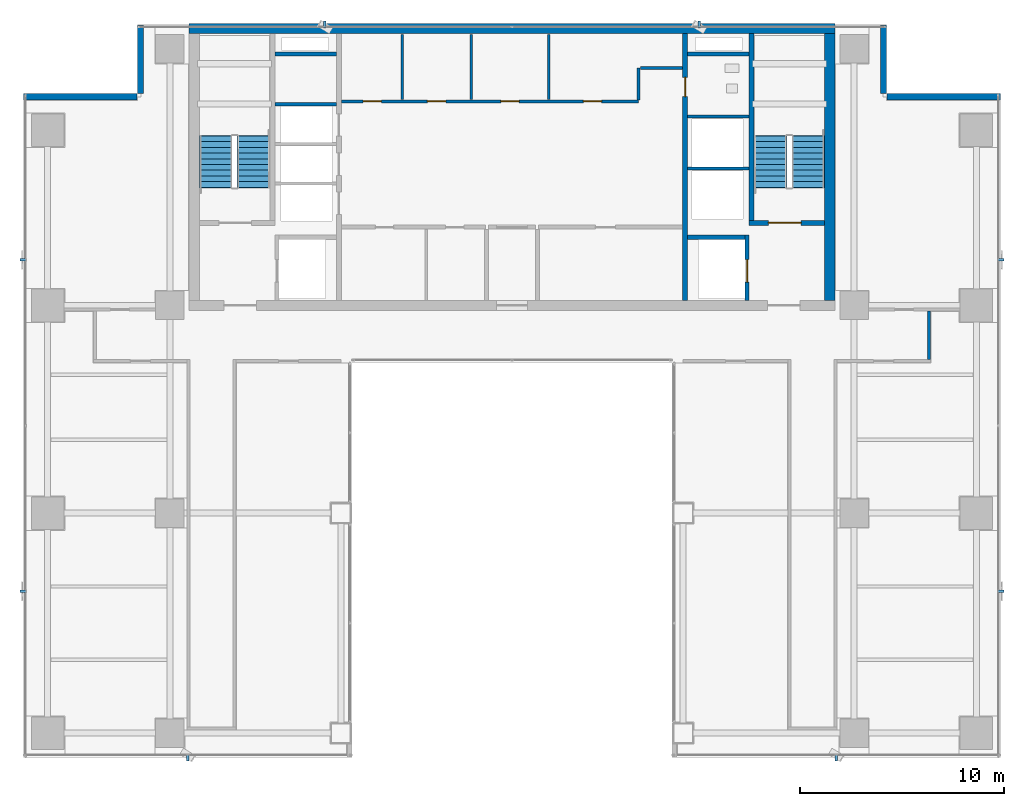
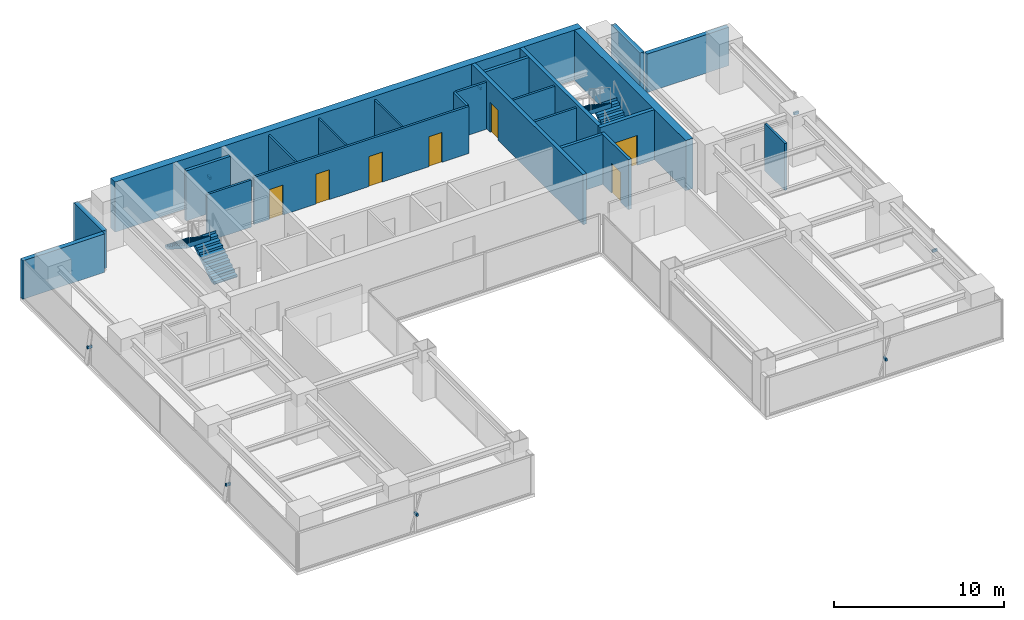
# One storey, part 25 of 29: 23 walls, 8 discrete accessories, 7 doors, 4 stair flights, 7 openings, 2 elements without a shape of their own.
"""IFC4 building model written with IfcOpenShell, lengths in metres."""

from ifc_helpers import new_model, si_unit, direction, frame, frame_2d, origin, origin_2d, place, context, subcontext, project, spatial, polyline, rectangle, outline, extrude, source, transform, mapped, material, layer, layer_set, material_profile, profile_set, type_object, element, fill, aggregate, save


model = new_model("IFC4")

# Units and contexts
model_context = context("Model", 3, precision=1e-05, world=origin(), true_north=direction((0.0, 1.0)))
body_context = subcontext(model_context, "Body", "Model", "MODEL_VIEW")
ifc_project = project(units=[si_unit("LENGTHUNIT", "METRE"), si_unit("AREAUNIT", "SQUARE_METRE"), si_unit("VOLUMEUNIT", "CUBIC_METRE"), si_unit("PLANEANGLEUNIT", "RADIAN"), si_unit("MASSUNIT", "GRAM", prefix="KILO")], contexts=[model_context])

# Site, building, storey
site_placement = place(None, origin())
site = spatial("IfcSite", under=ifc_project, at=site_placement, CompositionType="ELEMENT")
building_placement = place(site_placement, origin())
building = spatial("IfcBuilding", under=site, at=building_placement, Name="Sumidabori Civic Tower", CompositionType="ELEMENT")
storey_placement = place(building_placement, frame((0.0, 0.0, 214.39990234375)))
storey = spatial("IfcBuildingStorey", under=building, at=storey_placement, Name="L55", CompositionType="ELEMENT", Elevation=214.39990234375)

# Walls
ifc_material_1 = material(Name="Concrete C50/60", Category="concrete")
ifc_layer_1 = layer(ifc_material_1, 0.199951171875, Name="Concrete C50/60")
ifc_layer_set_1 = layer_set([ifc_layer_1], Name="Concrete C50/60")
wall_type_1 = type_object("IfcWallType", Name="WL-SHAFT-200", PredefinedType="SHEAR", material=ifc_layer_set_1)
shared_shape_1 = source(origin(), body_context, "Body", "SweptSolid", [
    extrude(rectangle(XDim=2.824951171875, YDim=0.199951171875, at=frame_2d((1.41259765625, 0.0))), origin(), (0.0, 0.0, 1.0), 3.60009765625),
])
wall_1_placement = place(storey_placement, frame((8.625, 13.550048828125, 0.0), z_axis=(0.0, 0.0, 1.0), x_axis=(1.0, 0.0, 0.0)))
element("IfcWall", 1, at=wall_1_placement, inside=storey, type_object=wall_type_1, Name="Core Shear Wall L55 EL2-N", PredefinedType="SHEAR", context=body_context, shape_type="MappedRepresentation", body=[
    mapped(shared_shape_1, transform((0.0, 0.0, 0.0), x_axis=(1.0, 0.0, 0.0), y_axis=(0.0, 1.0, 0.0), z_axis=(0.0, 0.0, 1.0), scale=1.0)),
])
shared_shape_2 = source(origin(), body_context, "Body", "SweptSolid", [
    extrude(rectangle(XDim=3.02001953125, YDim=0.199951171875, at=frame_2d((1.510009765625, 0.0))), origin(), (0.0, 0.0, 1.0), 3.60009765625),
])
for number, where, z_axis, x_axis, name in (
    (2, (-11.64501953125, 22.550048828125, 0.0), (0.0, 0.0, 1.0), (1.0, 0.0, 0.0), "Core Shear Wall L55 RIS1-S"),
    (3, (8.625, 22.550048828125, 0.0), (0.0, 0.0, 1.0), (1.0, 0.0, 0.0), "Core Shear Wall L55 RIS2-S"),
):
    element("IfcWall", number, at=place(storey_placement, frame(where, z_axis=z_axis, x_axis=x_axis)), inside=storey, type_object=wall_type_1, Name=name, PredefinedType="SHEAR", context=body_context, shape_type="MappedRepresentation", body=[
        mapped(shared_shape_2, transform((0.0, 0.0, 0.0), x_axis=(1.0, 0.0, 0.0), y_axis=(0.0, 1.0, 0.0), z_axis=(0.0, 0.0, 1.0), scale=1.0)),
    ])
ifc_layer_2 = layer(ifc_material_1, 0.5, Name="Concrete C50/60")
ifc_layer_set_2 = layer_set([ifc_layer_2], Name="Concrete C50/60")
wall_type_2 = type_object("IfcWallType", Name="WL-CORE-500", PredefinedType="SHEAR", material=ifc_layer_set_2)
shared_shape_3 = source(origin(), body_context, "Body", "SweptSolid", [
    extrude(rectangle(XDim=31.7001953125, YDim=0.5, at=frame_2d((15.85009765625, 0.0))), origin(), (0.0, 0.0, 1.0), 3.60009765625),
])
wall_2_placement = place(storey_placement, frame((-15.85009765625, 23.800048828125, 0.0), z_axis=(0.0, 0.0, 1.0), x_axis=(1.0, 0.0, 0.0)))
element("IfcWall", 4, at=wall_2_placement, inside=storey, type_object=wall_type_2, Name="Core Shear Wall L55 N", PredefinedType="SHEAR", context=body_context, shape_type="MappedRepresentation", body=[
    mapped(shared_shape_3, transform((0.0, 0.0, 0.0), x_axis=(1.0, 0.0, 0.0), y_axis=(0.0, 1.0, 0.0), z_axis=(0.0, 0.0, 1.0), scale=1.0)),
])
shared_shape_4 = source(origin(), body_context, "Body", "SweptSolid", [
    extrude(rectangle(XDim=13.10009765625, YDim=0.5, at=frame_2d((6.550048828125, 0.0))), origin(), (0.0, 0.0, 1.0), 3.60009765625),
])
wall_3_placement = place(storey_placement, frame((15.60009765625, 10.449951171875, 0.0), z_axis=(0.0, 0.0, 1.0), x_axis=(0.0, 1.0, 0.0)))
element("IfcWall", 5, at=wall_3_placement, inside=storey, type_object=wall_type_2, Name="Core Shear Wall L55 E", PredefinedType="SHEAR", context=body_context, shape_type="MappedRepresentation", body=[
    mapped(shared_shape_4, transform((0.0, 0.0, 0.0), x_axis=(1.0, 0.0, 0.0), y_axis=(0.0, 1.0, 0.0), z_axis=(0.0, 0.0, 1.0), scale=1.0)),
])

# Wall, opening, door
ifc_layer_3 = layer(ifc_material_1, 0.25, Name="Concrete C50/60")
ifc_layer_set_3 = layer_set([ifc_layer_3], Name="Concrete C50/60")
wall_type_3 = type_object("IfcWallType", Name="WL-SHAFT-250", PredefinedType="SHEAR", material=ifc_layer_set_3)
shared_shape_5 = source(origin(), body_context, "Body", "SweptSolid", [
    extrude(rectangle(XDim=13.10009765625, YDim=0.25, at=frame_2d((6.550048828125, 0.0))), origin(), (0.0, 0.0, 1.0), 3.60009765625),
])
wall_4_placement = place(storey_placement, frame((8.5, 10.449951171875, 0.0), z_axis=(0.0, 0.0, 1.0), x_axis=(0.0, 1.0, 0.0)))
wall_4 = element("IfcWall", 6, at=wall_4_placement, inside=storey, type_object=wall_type_3, Name="Core Shear Wall L55 WEB-E", PredefinedType="SHEAR", context=body_context, shape_type="MappedRepresentation", body=[
    mapped(shared_shape_5, transform((0.0, 0.0, 0.0), x_axis=(1.0, 0.0, 0.0), y_axis=(0.0, 1.0, 0.0), z_axis=(0.0, 0.0, 1.0), scale=1.0)),
])
opening_1_placement = place(wall_4_placement, frame((10.0, 0.0, 0.0)))
opening_1 = element("IfcOpeningElement", 7, at=opening_1_placement, cuts=wall_4, Name="Opening DR-2", PredefinedType="OPENING", context=body_context, shape_type="SweptSolid", body=[
    extrude(rectangle(XDim=0.949951171875, YDim=2.14990234375, at=frame_2d((0.47509765625, 1.074951171875))), frame((0.0, 0.136962890625, 0.0), z_axis=(0.0, -1.0, 0.0), x_axis=(1.0, 0.0, 0.0)), (0.0, 0.0, 1.0), 0.27392578125),
])
ifc_material_2 = material(Name="Japanese Hinoki Timber", Category="wood")
door_type_1 = type_object("IfcDoorType", Name="DR-INT-950", OperationType="NOTDEFINED", PredefinedType="DOOR", material=ifc_material_2)
shared_shape_6 = source(origin(), body_context, "Body", "SweptSolid", [
    extrude(rectangle(XDim=0.949951171875, YDim=2.14990234375, at=frame_2d((0.47509765625, 1.074951171875))), frame((0.0, 0.02490234375, 0.0), z_axis=(0.0, -1.0, 0.0), x_axis=(1.0, 0.0, 0.0)), (0.0, 0.0, 1.0), 0.050048828125),
])
door_1_placement = place(opening_1_placement, origin())
door_1 = element("IfcDoor", 8, at=door_1_placement, inside=storey, type_object=door_type_1, Name="Door DR:L55:WC-ACC", OperationType="SINGLE_SWING_RIGHT", OverallHeight=2.14990234375, OverallWidth=0.949951171875, PredefinedType="DOOR", context=body_context, shape_type="MappedRepresentation", body=[
    mapped(shared_shape_6, transform((0.0, 0.0, 0.0), x_axis=(1.0, 0.0, 0.0), y_axis=(0.0, 1.0, 0.0), z_axis=(0.0, 0.0, 1.0), scale=1.0)),
])
fill(opening_1, door_1)

shared_shape_7 = source(origin(), body_context, "Body", "SweptSolid", [
    extrude(rectangle(XDim=3.705078125, YDim=0.25, at=frame_2d((1.8525390625, 0.0))), origin(), (0.0, 0.0, 1.0), 3.60009765625),
])
wall_5_placement = place(storey_placement, frame((11.64501953125, 14.25, 0.0), z_axis=(0.0, 0.0, 1.0), x_axis=(1.0, 0.0, 0.0)))
wall_5 = element("IfcWall", 9, at=wall_5_placement, inside=storey, type_object=wall_type_3, Name="Core Shear Wall L55 ST2-S", PredefinedType="SHEAR", context=body_context, shape_type="MappedRepresentation", body=[
    mapped(shared_shape_7, transform((0.0, 0.0, 0.0), x_axis=(1.0, 0.0, 0.0), y_axis=(0.0, 1.0, 0.0), z_axis=(0.0, 0.0, 1.0), scale=1.0)),
])
opening_2_placement = place(wall_5_placement, frame((0.949951171875, 0.0, 0.0)))
opening_2 = element("IfcOpeningElement", 10, at=opening_2_placement, cuts=wall_5, Name="Opening DR-FD4", PredefinedType="OPENING", context=body_context, shape_type="SweptSolid", body=[
    extrude(rectangle(XDim=1.60009765625, YDim=2.14990234375, at=frame_2d((0.800048828125, 1.074951171875))), frame((0.0, 0.136962890625, 0.0), z_axis=(0.0, -1.0, 0.0), x_axis=(1.0, 0.0, 0.0)), (0.0, 0.0, 1.0), 0.27392578125),
])
ifc_material_3 = material(Name="Steel SN490", Category="steel")
door_type_2 = type_object("IfcDoorType", Name="DR-FD4", OperationType="DOUBLE_DOOR_SINGLE_SWING", PredefinedType="DOOR", material=ifc_material_3)
shared_shape_8 = source(origin(), body_context, "Body", "SweptSolid", [
    extrude(rectangle(XDim=1.60009765625, YDim=2.14990234375, at=frame_2d((0.800048828125, 1.074951171875))), frame((0.0, 0.02490234375, 0.0), z_axis=(0.0, -1.0, 0.0), x_axis=(1.0, 0.0, 0.0)), (0.0, 0.0, 1.0), 0.050048828125),
])
door_2_placement = place(opening_2_placement, origin())
door_2 = element("IfcDoor", 11, at=door_2_placement, inside=storey, type_object=door_type_2, Name="Door DR:L55:ST2", OperationType="DOUBLE_DOOR_SINGLE_SWING", OverallHeight=2.14990234375, OverallWidth=1.60009765625, PredefinedType="DOOR", context=body_context, shape_type="MappedRepresentation", body=[
    mapped(shared_shape_8, transform((0.0, 0.0, 0.0), x_axis=(1.0, 0.0, 0.0), y_axis=(0.0, 1.0, 0.0), z_axis=(0.0, 0.0, 1.0), scale=1.0)),
])
fill(opening_2, door_2)

# Wall
shared_shape_9 = source(origin(), body_context, "Body", "SweptSolid", [
    extrude(rectangle(XDim=9.175048828125, YDim=0.25, at=frame_2d((4.58740234375, 0.0))), origin(), (0.0, 0.0, 1.0), 3.60009765625),
])
wall_6_placement = place(storey_placement, frame((11.77001953125, 14.375, 0.0), z_axis=(0.0, 0.0, 1.0), x_axis=(0.0, 1.0, 0.0)))
element("IfcWall", 12, at=wall_6_placement, inside=storey, type_object=wall_type_3, Name="Core Shear Wall L55 ST2-W", PredefinedType="SHEAR", context=body_context, shape_type="MappedRepresentation", body=[
    mapped(shared_shape_9, transform((0.0, 0.0, 0.0), x_axis=(1.0, 0.0, 0.0), y_axis=(0.0, 1.0, 0.0), z_axis=(0.0, 0.0, 1.0), scale=1.0)),
])

# Wall, opening, door
shared_shape_10 = source(origin(), body_context, "Body", "SweptSolid", [
    extrude(rectangle(XDim=3.199951171875, YDim=0.199951171875, at=frame_2d((1.60009765625, 0.0))), origin(), (0.0, 0.0, 1.0), 3.60009765625),
])
wall_7_placement = place(storey_placement, frame((11.550048828125, 10.449951171875, 0.0), z_axis=(0.0, 0.0, 1.0), x_axis=(0.0, 1.0, 0.0)))
wall_7 = element("IfcWall", 13, at=wall_7_placement, inside=storey, type_object=wall_type_1, Name="Core Shear Wall L55 EL2-E", PredefinedType="SHEAR", context=body_context, shape_type="MappedRepresentation", body=[
    mapped(shared_shape_10, transform((0.0, 0.0, 0.0), x_axis=(1.0, 0.0, 0.0), y_axis=(0.0, 1.0, 0.0), z_axis=(0.0, 0.0, 1.0), scale=1.0)),
])
opening_3_placement = place(wall_7_placement, frame((0.89990234375, 0.0, 0.0)))
opening_3 = element("IfcOpeningElement", 14, at=opening_3_placement, cuts=wall_7, Name="Opening LD-2", PredefinedType="OPENING", context=body_context, shape_type="SweptSolid", body=[
    extrude(rectangle(XDim=1.10009765625, YDim=2.14990234375, at=frame_2d((0.550048828125, 1.074951171875))), frame((0.0, 0.11181640625, 0.0), z_axis=(0.0, -1.0, 0.0), x_axis=(1.0, 0.0, 0.0)), (0.0, 0.0, 1.0), 0.223876953125),
])
ifc_material_4 = material(Name="Stainless Steel Hairline Finish", Category="steel")
door_type_3 = type_object("IfcDoorType", Name="DR-LD2", OperationType="DOUBLE_DOOR_SLIDING", PredefinedType="DOOR", material=ifc_material_4)
shared_shape_11 = source(origin(), body_context, "Body", "SweptSolid", [
    extrude(rectangle(XDim=1.10009765625, YDim=2.14990234375, at=frame_2d((0.550048828125, 1.074951171875))), frame((0.0, 0.02490234375, 0.0), z_axis=(0.0, -1.0, 0.0), x_axis=(1.0, 0.0, 0.0)), (0.0, 0.0, 1.0), 0.050048828125),
])
door_3_placement = place(opening_3_placement, origin())
door_3 = element("IfcDoor", 15, at=door_3_placement, inside=storey, type_object=door_type_3, Name="Door DR:L55:LD-EL2", OperationType="DOUBLE_DOOR_SLIDING", OverallHeight=2.14990234375, OverallWidth=1.10009765625, PredefinedType="DOOR", context=body_context, shape_type="MappedRepresentation", body=[
    mapped(shared_shape_11, transform((0.0, 0.0, 0.0), x_axis=(1.0, 0.0, 0.0), y_axis=(0.0, 1.0, 0.0), z_axis=(0.0, 0.0, 1.0), scale=1.0)),
])
fill(opening_3, door_3)

# Walls
ifc_material_5 = material(Name="Precast concrete C40/50", Category="concrete")
ifc_layer_4 = layer(ifc_material_5, 0.300048828125, Name="Precast concrete C40/50")
ifc_layer_set_4 = layer_set([ifc_layer_4], Name="Precast concrete C40/50")
wall_type_4 = type_object("IfcWallType", Name="WL-EXT-POD300", PredefinedType="STANDARD", material=ifc_layer_set_4)
shared_shape_12 = source(origin(), body_context, "Body", "SweptSolid", [
    extrude(rectangle(XDim=5.56005859375, YDim=0.300048828125, at=frame_2d((2.780029296875, 0.0))), origin(), (0.0, 0.0, 1.0), 2.760009765625),
])
for number, where, z_axis, x_axis, name in (
    (16, (23.97998046875, 20.449951171875, 0.0), (0.0, 0.0, 1.0), (-1.0, 0.0, 0.0), "Notched Corner Spandrel Band L55-11"),
    (17, (-18.419921875, 20.449951171875, 0.0), (0.0, 0.0, 1.0), (-1.0, 0.0, 0.0), "Notched Corner Spandrel Band L55-15"),
):
    element("IfcWall", number, at=place(storey_placement, frame(where, z_axis=z_axis, x_axis=x_axis)), inside=storey, type_object=wall_type_4, Name=name, PredefinedType="STANDARD", context=body_context, shape_type="MappedRepresentation", body=[
        mapped(shared_shape_12, transform((0.0, 0.0, 0.0), x_axis=(1.0, 0.0, 0.0), y_axis=(0.0, 1.0, 0.0), z_axis=(0.0, 0.0, 1.0), scale=1.0)),
    ])
shared_shape_13 = source(origin(), body_context, "Body", "SweptSolid", [
    extrude(rectangle(XDim=3.35986328125, YDim=0.300048828125, at=frame_2d((1.679931640625, 0.0))), origin(), (0.0, 0.0, 1.0), 2.760009765625),
])
for number, where, z_axis, x_axis, name in (
    (18, (18.25, 20.6201171875, 0.0), (0.0, 0.0, 1.0), (0.0, 1.0, 0.0), "Notched Corner Spandrel Band L55-12"),
    (19, (-18.25, 23.97998046875, 0.0), (0.0, 0.0, 1.0), (0.0, -1.0, 0.0), "Notched Corner Spandrel Band L55-14"),
):
    element("IfcWall", number, at=place(storey_placement, frame(where, z_axis=z_axis, x_axis=x_axis)), inside=storey, type_object=wall_type_4, Name=name, PredefinedType="STANDARD", context=body_context, shape_type="MappedRepresentation", body=[
        mapped(shared_shape_13, transform((0.0, 0.0, 0.0), x_axis=(1.0, 0.0, 0.0), y_axis=(0.0, 1.0, 0.0), z_axis=(0.0, 0.0, 1.0), scale=1.0)),
    ])
ifc_material_6 = material(Name="Gypsum Plasterboard Acoustic Partition")
ifc_layer_5 = layer(ifc_material_6, 0.14990234375, Name="Gypsum Plasterboard Acoustic Partition")
ifc_layer_set_5 = layer_set([ifc_layer_5], Name="Gypsum Plasterboard Acoustic Partition")
wall_type_5 = type_object("IfcWallType", Name="WL-PART-150", PredefinedType="PARTITIONING", material=ifc_layer_set_5)
shared_shape_14 = source(origin(), body_context, "Body", "SweptSolid", [
    extrude(rectangle(XDim=3.010009765625, YDim=0.14990234375, at=frame_2d((1.5048828125, 0.0))), origin(), (0.0, 0.0, 1.0), 3.380126953125),
])
for number, where, z_axis, x_axis, name in (
    (20, (-11.639892578125, 20.080078125, 0.0), (0.0, 0.0, 1.0), (1.0, 0.0, 0.0), "Interior Partition WL:L55:DIV-PLH3"),
    (21, (8.6298828125, 16.919921875, 0.0), (0.0, 0.0, 1.0), (1.0, 0.0, 0.0), "Interior Partition WL:L55:DIV-OBS1"),
    (22, (8.6298828125, 19.469970703125, 0.0), (0.0, 0.0, 1.0), (1.0, 0.0, 0.0), "Interior Partition WL:L55:DIV-OBS2"),
):
    element("IfcWall", number, at=place(storey_placement, frame(where, z_axis=z_axis, x_axis=x_axis)), inside=storey, type_object=wall_type_5, Name=name, PredefinedType="PARTITIONING", context=body_context, shape_type="MappedRepresentation", body=[
        mapped(shared_shape_14, transform((0.0, 0.0, 0.0), x_axis=(1.0, 0.0, 0.0), y_axis=(0.0, 1.0, 0.0), z_axis=(0.0, 0.0, 1.0), scale=1.0)),
    ])

# Wall, openings, doors
shared_shape_15 = source(origin(), body_context, "Body", "SweptSolid", [
    extrude(rectangle(XDim=14.590087890625, YDim=0.14990234375, at=frame_2d((7.294921875, 0.0))), origin(), (0.0, 0.0, 1.0), 3.380126953125),
])
wall_8_placement = place(storey_placement, frame((-8.3701171875, 20.219970703125, 0.0), z_axis=(0.0, 0.0, 1.0), x_axis=(1.0, 0.0, 0.0)))
wall_8 = element("IfcWall", 23, at=wall_8_placement, inside=storey, type_object=wall_type_5, Name="Interior Partition WL:L55:CBAND-M", PredefinedType="PARTITIONING", context=body_context, shape_type="MappedRepresentation", body=[
    mapped(shared_shape_15, transform((0.0, 0.0, 0.0), x_axis=(1.0, 0.0, 0.0), y_axis=(0.0, 1.0, 0.0), z_axis=(0.0, 0.0, 1.0), scale=1.0)),
])
opening_4_placement = place(wall_8_placement, frame((1.06005859375, 0.0, 0.0)))
opening_4 = element("IfcOpeningElement", 24, at=opening_4_placement, cuts=wall_8, Name="Opening DR-1", PredefinedType="OPENING", context=body_context, shape_type="SweptSolid", body=[
    extrude(rectangle(XDim=0.89990234375, YDim=2.14990234375, at=frame_2d((0.449951171875, 1.074951171875))), frame((0.0, 0.0869140625, 0.0), z_axis=(0.0, -1.0, 0.0), x_axis=(1.0, 0.0, 0.0)), (0.0, 0.0, 1.0), 0.173828125),
])
opening_5_placement = place(wall_8_placement, frame((4.219970703125, 0.0, 0.0)))
opening_5 = element("IfcOpeningElement", 25, at=opening_5_placement, cuts=wall_8, Name="Opening DR-1", PredefinedType="OPENING", context=body_context, shape_type="SweptSolid", body=[
    extrude(rectangle(XDim=0.89990234375, YDim=2.14990234375, at=frame_2d((0.449951171875, 1.074951171875))), frame((0.0, 0.0869140625, 0.0), z_axis=(0.0, -1.0, 0.0), x_axis=(1.0, 0.0, 0.0)), (0.0, 0.0, 1.0), 0.173828125),
])
opening_6_placement = place(wall_8_placement, frame((7.820068359375, 0.0, 0.0)))
opening_6 = element("IfcOpeningElement", 26, at=opening_6_placement, cuts=wall_8, Name="Opening DR-1", PredefinedType="OPENING", context=body_context, shape_type="SweptSolid", body=[
    extrude(rectangle(XDim=0.89990234375, YDim=2.14990234375, at=frame_2d((0.449951171875, 1.074951171875))), frame((0.0, 0.0869140625, 0.0), z_axis=(0.0, -1.0, 0.0), x_axis=(1.0, 0.0, 0.0)), (0.0, 0.0, 1.0), 0.173828125),
])
opening_7_placement = place(wall_8_placement, frame((11.8701171875, 0.0, 0.0)))
opening_7 = element("IfcOpeningElement", 27, at=opening_7_placement, cuts=wall_8, Name="Opening DR-1", PredefinedType="OPENING", context=body_context, shape_type="SweptSolid", body=[
    extrude(rectangle(XDim=0.89990234375, YDim=2.14990234375, at=frame_2d((0.449951171875, 1.074951171875))), frame((0.0, 0.0869140625, 0.0), z_axis=(0.0, -1.0, 0.0), x_axis=(1.0, 0.0, 0.0)), (0.0, 0.0, 1.0), 0.173828125),
])
door_type_4 = type_object("IfcDoorType", Name="DR-INT-900", OperationType="NOTDEFINED", PredefinedType="DOOR", material=ifc_material_2)
shared_shape_16 = source(origin(), body_context, "Body", "SweptSolid", [
    extrude(rectangle(XDim=0.89990234375, YDim=2.14990234375, at=frame_2d((0.449951171875, 1.074951171875))), frame((0.0, 0.02490234375, 0.0), z_axis=(0.0, -1.0, 0.0), x_axis=(1.0, 0.0, 0.0)), (0.0, 0.0, 1.0), 0.050048828125),
])
door_4_placement = place(opening_4_placement, origin())
door_4 = element("IfcDoor", 28, at=door_4_placement, inside=storey, type_object=door_type_4, Name="Door DR:L55:CB-1", OperationType="SINGLE_SWING_LEFT", OverallHeight=2.14990234375, OverallWidth=0.89990234375, PredefinedType="DOOR", context=body_context, shape_type="MappedRepresentation", body=[
    mapped(shared_shape_16, transform((0.0, 0.0, 0.0), x_axis=(1.0, 0.0, 0.0), y_axis=(0.0, 1.0, 0.0), z_axis=(0.0, 0.0, 1.0), scale=1.0)),
])
fill(opening_4, door_4)
door_5_placement = place(opening_5_placement, origin())
door_5 = element("IfcDoor", 29, at=door_5_placement, inside=storey, type_object=door_type_4, Name="Door DR:L55:CB-2", OperationType="SINGLE_SWING_RIGHT", OverallHeight=2.14990234375, OverallWidth=0.89990234375, PredefinedType="DOOR", context=body_context, shape_type="MappedRepresentation", body=[
    mapped(shared_shape_16, transform((0.0, 0.0, 0.0), x_axis=(1.0, 0.0, 0.0), y_axis=(0.0, 1.0, 0.0), z_axis=(0.0, 0.0, 1.0), scale=1.0)),
])
fill(opening_5, door_5)
door_6_placement = place(opening_6_placement, origin())
door_6 = element("IfcDoor", 30, at=door_6_placement, inside=storey, type_object=door_type_4, Name="Door DR:L55:CB-3", OperationType="SINGLE_SWING_LEFT", OverallHeight=2.14990234375, OverallWidth=0.89990234375, PredefinedType="DOOR", context=body_context, shape_type="MappedRepresentation", body=[
    mapped(shared_shape_16, transform((0.0, 0.0, 0.0), x_axis=(1.0, 0.0, 0.0), y_axis=(0.0, 1.0, 0.0), z_axis=(0.0, 0.0, 1.0), scale=1.0)),
])
fill(opening_6, door_6)
door_7_placement = place(opening_7_placement, origin())
door_7 = element("IfcDoor", 31, at=door_7_placement, inside=storey, type_object=door_type_4, Name="Door DR:L55:CB-4", OperationType="SINGLE_SWING_RIGHT", OverallHeight=2.14990234375, OverallWidth=0.89990234375, PredefinedType="DOOR", context=body_context, shape_type="MappedRepresentation", body=[
    mapped(shared_shape_16, transform((0.0, 0.0, 0.0), x_axis=(1.0, 0.0, 0.0), y_axis=(0.0, 1.0, 0.0), z_axis=(0.0, 0.0, 1.0), scale=1.0)),
])
fill(opening_7, door_7)

# Walls
shared_shape_17 = source(origin(), body_context, "Body", "SweptSolid", [
    extrude(rectangle(XDim=1.550048828125, YDim=0.14990234375, at=frame_2d((0.77490234375, 0.0))), origin(), (0.0, 0.0, 1.0), 3.380126953125),
])
wall_9_placement = place(storey_placement, frame((6.219970703125, 20.300048828125, 0.0), z_axis=(0.0, 0.0, 1.0), x_axis=(0.0, 1.0, 0.0)))
element("IfcWall", 32, at=wall_9_placement, inside=storey, type_object=wall_type_5, Name="Interior Partition WL:L55:CBAND-ME1", PredefinedType="PARTITIONING", context=body_context, shape_type="MappedRepresentation", body=[
    mapped(shared_shape_17, transform((0.0, 0.0, 0.0), x_axis=(1.0, 0.0, 0.0), y_axis=(0.0, 1.0, 0.0), z_axis=(0.0, 0.0, 1.0), scale=1.0)),
])
shared_shape_18 = source(origin(), body_context, "Body", "SweptSolid", [
    extrude(rectangle(XDim=2.070068359375, YDim=0.14990234375, at=frame_2d((1.03515625, 0.0))), origin(), (0.0, 0.0, 1.0), 3.380126953125),
])
wall_10_placement = place(storey_placement, frame((6.300048828125, 21.85009765625, 0.0), z_axis=(0.0, 0.0, 1.0), x_axis=(1.0, 0.0, 0.0)))
element("IfcWall", 33, at=wall_10_placement, inside=storey, type_object=wall_type_5, Name="Interior Partition WL:L55:CBAND-ME2", PredefinedType="PARTITIONING", context=body_context, shape_type="MappedRepresentation", body=[
    mapped(shared_shape_18, transform((0.0, 0.0, 0.0), x_axis=(1.0, 0.0, 0.0), y_axis=(0.0, 1.0, 0.0), z_axis=(0.0, 0.0, 1.0), scale=1.0)),
])
ifc_layer_6 = layer(ifc_material_6, 0.1201171875, Name="Gypsum Plasterboard Acoustic Partition")
ifc_layer_set_6 = layer_set([ifc_layer_6], Name="Gypsum Plasterboard Acoustic Partition")
wall_type_6 = type_object("IfcWallType", Name="WL-PART-120", PredefinedType="PARTITIONING", material=ifc_layer_set_6)
shared_shape_19 = source(origin(), body_context, "Body", "SweptSolid", [
    extrude(rectangle(XDim=3.18994140625, YDim=0.1201171875, at=frame_2d((1.594970703125, 0.0))), origin(), (0.0, 0.0, 1.0), 3.380126953125),
])
for number, where, z_axis, x_axis, name in (
    (34, (-5.39990234375, 20.320068359375, 0.0), (0.0, 0.0, 1.0), (0.0, 1.0, 0.0), "Interior Partition WL:L55:LV8-S1"),
    (35, (-2.0, 20.320068359375, 0.0), (0.0, 0.0, 1.0), (0.0, 1.0, 0.0), "Interior Partition WL:L55:LV8-S2"),
    (36, (1.800048828125, 20.320068359375, 0.0), (0.0, 0.0, 1.0), (0.0, 1.0, 0.0), "Interior Partition WL:L55:LV8-S3"),
):
    element("IfcWall", number, at=place(storey_placement, frame(where, z_axis=z_axis, x_axis=x_axis)), inside=storey, type_object=wall_type_6, Name=name, PredefinedType="PARTITIONING", context=body_context, shape_type="MappedRepresentation", body=[
        mapped(shared_shape_19, transform((0.0, 0.0, 0.0), x_axis=(1.0, 0.0, 0.0), y_axis=(0.0, 1.0, 0.0), z_axis=(0.0, 0.0, 1.0), scale=1.0)),
    ])
shared_shape_20 = source(origin(), body_context, "Body", "SweptSolid", [
    extrude(rectangle(XDim=2.364990234375, YDim=0.14990234375, at=frame_2d((1.1826171875, 0.0))), origin(), (0.0, 0.0, 1.0), 3.380126953125),
])
wall_11_placement = place(storey_placement, frame((20.47509765625, 7.554931640625, 0.0), z_axis=(0.0, 0.0, 1.0), x_axis=(0.0, 1.0, 0.0)))
element("IfcWall", 37, at=wall_11_placement, inside=storey, type_object=wall_type_5, Name="Interior Partition WL:L55:CORR-VNE", PredefinedType="PARTITIONING", context=body_context, shape_type="MappedRepresentation", body=[
    mapped(shared_shape_20, transform((0.0, 0.0, 0.0), x_axis=(1.0, 0.0, 0.0), y_axis=(0.0, 1.0, 0.0), z_axis=(0.0, 0.0, 1.0), scale=1.0)),
])

# Stair, stair flights
ifc_material_7 = material(Name="Concrete C40/50", Category="concrete")
stair_type = type_object("IfcStairType", Name="ST-CORE-1600", PredefinedType="HALF_TURN_STAIR", material=ifc_material_7)
stair_1_placement = place(storey_placement, origin())
stair_1 = element("IfcStair", 38, at=stair_1_placement, inside=storey, type_object=stair_type, Name="L55 ST-1", PredefinedType="HALF_TURN_STAIR")
stair_flight_type = type_object("IfcStairFlightType", Name="SF-CORE-1600", PredefinedType="STRAIGHT", material=ifc_material_7)
shared_shape_21 = source(origin(), body_context, "Body", "SweptSolid", [
    extrude(outline(polyline([(-0.02490234375, 0.0), (-0.02490234375, 0.0400390625), (0.0, 0.0400390625), (0.0, 0.179931640625), (0.280029296875, 0.179931640625), (0.280029296875, 0.360107421875), (0.56005859375, 0.360107421875), (0.56005859375, 0.5400390625), (0.840087890625, 0.5400390625), (0.840087890625, 0.719970703125), (1.1201171875, 0.719970703125), (1.1201171875, 0.89990234375), (1.39990234375, 0.89990234375), (1.39990234375, 1.080078125), (1.679931640625, 1.080078125), (1.679931640625, 1.260009765625), (1.9599609375, 1.260009765625), (1.9599609375, 1.43994140625), (2.239990234375, 1.43994140625), (2.239990234375, 1.6201171875), (2.52001953125, 1.6201171875), (2.52001953125, 1.800048828125), (2.544921875, 1.800048828125), (2.544921875, 1.650146484375), (2.52001953125, 1.44189453125), (0.277099609375, 0.0), (-0.02490234375, 0.0)])), frame((0.0, 0.800048828125, 0.0), z_axis=(0.0, -1.0, 0.0), x_axis=(1.0, 0.0, 0.0)), (0.0, 0.0, 1.0), 1.60009765625),
])
stair_flight_1_placement = place(storey_placement, frame((-12.699951171875, 16.0, 0.0), z_axis=(0.0, 0.0, 1.0), x_axis=(0.0, 1.0, 0.0)))
stair_flight_1 = element("IfcStairFlight", 39, at=stair_flight_1_placement, type_object=stair_flight_type, Name="ST-1 flight 1", NumberOfRisers=10, NumberOfTreads=9, PredefinedType="STRAIGHT", RiserHeight=0.18, TreadLength=0.28, context=body_context, shape_type="MappedRepresentation", body=[
    mapped(shared_shape_21, transform((0.0, 0.0, 0.0), x_axis=(1.0, 0.0, 0.0), y_axis=(0.0, 1.0, 0.0), z_axis=(0.0, 0.0, 1.0), scale=1.0)),
])
stair_flight_2_placement = place(storey_placement, frame((-14.5400390625, 18.52001953125, 1.800048828125), z_axis=(0.0, 0.0, 1.0), x_axis=(0.0, -1.0, 0.0)))
stair_flight_2 = element("IfcStairFlight", 40, at=stair_flight_2_placement, type_object=stair_flight_type, Name="ST-1 flight 2", NumberOfRisers=10, NumberOfTreads=9, PredefinedType="STRAIGHT", RiserHeight=0.18, TreadLength=0.28, context=body_context, shape_type="MappedRepresentation", body=[
    mapped(shared_shape_21, transform((0.0, 0.0, 0.0), x_axis=(1.0, 0.0, 0.0), y_axis=(0.0, 1.0, 0.0), z_axis=(0.0, 0.0, 1.0), scale=1.0)),
])
aggregate(stair_1, [stair_flight_1, stair_flight_2])

stair_2_placement = place(storey_placement, origin())
stair_2 = element("IfcStair", 41, at=stair_2_placement, inside=storey, type_object=stair_type, Name="L55 ST-2", PredefinedType="HALF_TURN_STAIR")
stair_flight_3_placement = place(storey_placement, frame((14.5400390625, 16.0, 0.0), z_axis=(0.0, 0.0, 1.0), x_axis=(0.0, 1.0, 0.0)))
stair_flight_3 = element("IfcStairFlight", 42, at=stair_flight_3_placement, type_object=stair_flight_type, Name="ST-2 flight 1", NumberOfRisers=10, NumberOfTreads=9, PredefinedType="STRAIGHT", RiserHeight=0.18, TreadLength=0.28, context=body_context, shape_type="MappedRepresentation", body=[
    mapped(shared_shape_21, transform((0.0, 0.0, 0.0), x_axis=(1.0, 0.0, 0.0), y_axis=(0.0, 1.0, 0.0), z_axis=(0.0, 0.0, 1.0), scale=1.0)),
])
stair_flight_4_placement = place(storey_placement, frame((12.699951171875, 18.52001953125, 1.800048828125), z_axis=(0.0, 0.0, 1.0), x_axis=(0.0, -1.0, 0.0)))
stair_flight_4 = element("IfcStairFlight", 43, at=stair_flight_4_placement, type_object=stair_flight_type, Name="ST-2 flight 2", NumberOfRisers=10, NumberOfTreads=9, PredefinedType="STRAIGHT", RiserHeight=0.18, TreadLength=0.28, context=body_context, shape_type="MappedRepresentation", body=[
    mapped(shared_shape_21, transform((0.0, 0.0, 0.0), x_axis=(1.0, 0.0, 0.0), y_axis=(0.0, 1.0, 0.0), z_axis=(0.0, 0.0, 1.0), scale=1.0)),
])
aggregate(stair_2, [stair_flight_3, stair_flight_4])

# Discrete accessories
ifc_material_profile = material_profile(ifc_material_4, rectangle(XDim=0.1201171875, YDim=0.179931640625, at=origin_2d()), Name="STEEL BRACKET 180x120")
ifc_profile_set = profile_set([ifc_material_profile], Name="Stainless Steel Hairline Finish")
discrete_accessory_type = type_object("IfcDiscreteAccessoryType", Name="AC-BRK-180", PredefinedType="BRACKET", material=ifc_profile_set)
shared_shape_22 = source(origin(), body_context, "Body", "SweptSolid", [
    extrude(rectangle(XDim=0.1201171875, YDim=0.179931640625, at=origin_2d()), origin(), (0.0, 0.0, 1.0), 0.329833984375),
])
for number, where, z_axis, x_axis, name in (
    (44, (-15.925048828125, -11.830078125, 1.3701171875), (0.0, -1.0, 0.0), (1.0, 0.0, 0.0), "Bronze Fin Fixing Bracket L55-01"),
    (45, (15.925048828125, -11.830078125, 1.3701171875), (0.0, -1.0, 0.0), (1.0, 0.0, 0.0), "Bronze Fin Fixing Bracket L55-01"),
    (46, (23.830078125, -3.8349609375, 1.3701171875), (1.0, 0.0, 0.0), (0.0, 1.0, 0.0), "Bronze Fin Fixing Bracket L55-01"),
    (47, (23.830078125, 12.43505859375, 1.3701171875), (1.0, 0.0, 0.0), (0.0, 1.0, 0.0), "Bronze Fin Fixing Bracket L55-03"),
    (48, (9.18505859375, 23.830078125, 1.3701171875), (0.0, 1.0, 0.0), (-1.0, 0.0, 0.0), "Bronze Fin Fixing Bracket L55-01"),
    (49, (-9.18505859375, 23.830078125, 1.3701171875), (0.0, 1.0, 0.0), (-1.0, 0.0, 0.0), "Bronze Fin Fixing Bracket L55-03"),
    (50, (-23.830078125, 12.43505859375, 1.3701171875), (-1.0, 0.0, 0.0), (0.0, -1.0, 0.0), "Bronze Fin Fixing Bracket L55-01"),
    (51, (-23.830078125, -3.8349609375, 1.3701171875), (-1.0, 0.0, 0.0), (0.0, -1.0, 0.0), "Bronze Fin Fixing Bracket L55-03"),
):
    element("IfcDiscreteAccessory", number, at=place(storey_placement, frame(where, z_axis=z_axis, x_axis=x_axis)), inside=storey, type_object=discrete_accessory_type, Name=name, PredefinedType="BRACKET", context=body_context, shape_type="MappedRepresentation", body=[
        mapped(shared_shape_22, transform((0.0, 0.0, 0.0), x_axis=(1.0, 0.0, 0.0), y_axis=(0.0, 1.0, 0.0), z_axis=(0.0, 0.0, 1.0), scale=1.0)),
    ])

save(model, "model.ifc")
